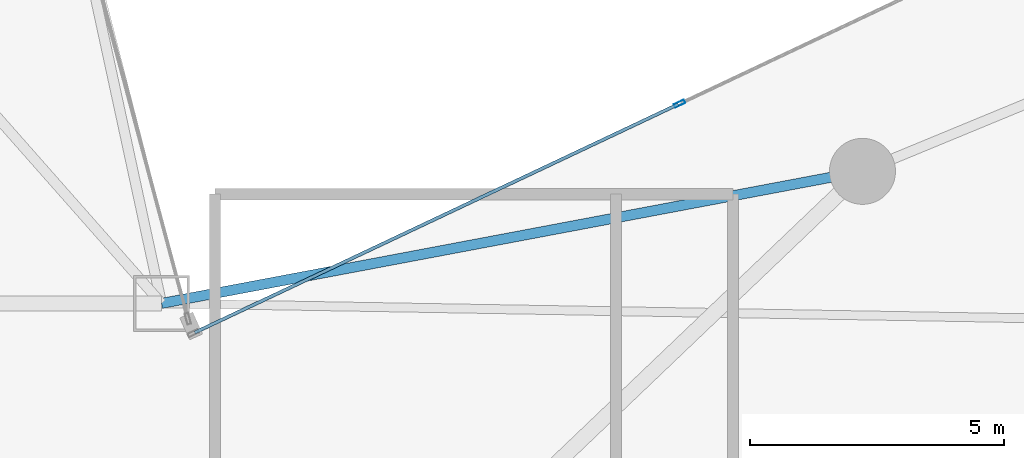
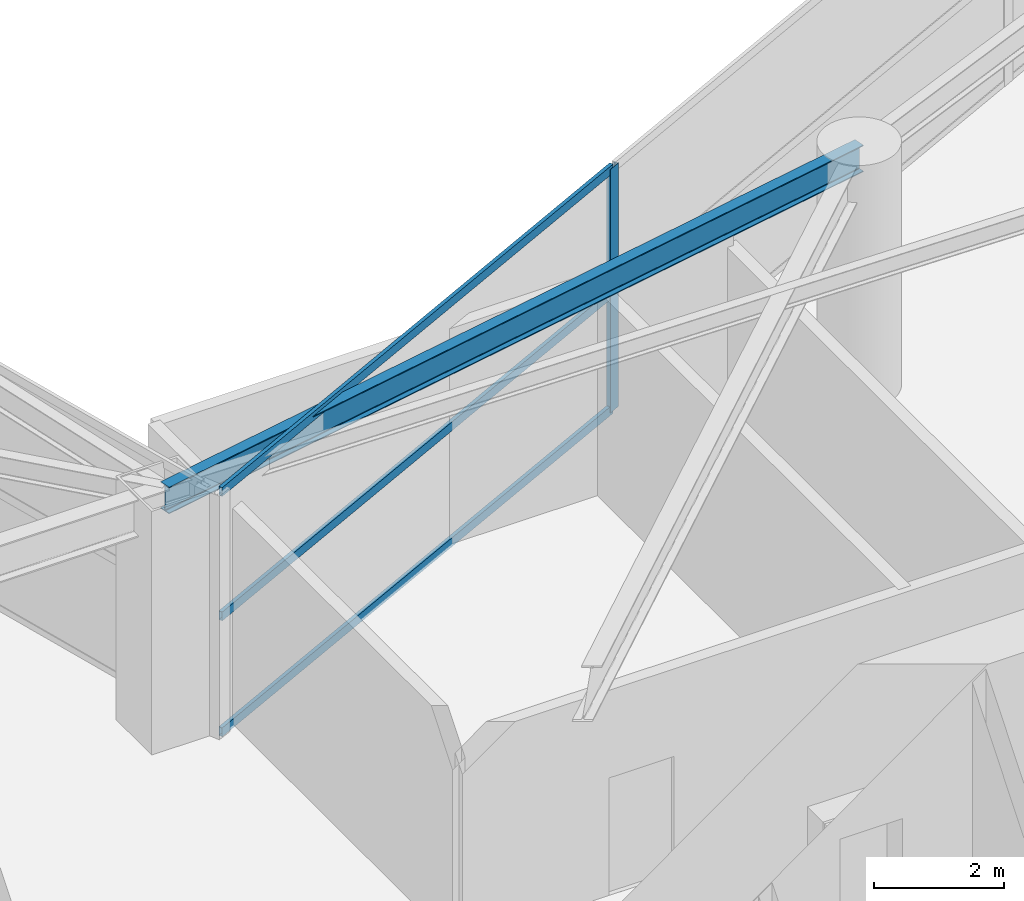
# One storey, part 3 of 18: 4 members, 1 beam, 1 element without a shape of its own.
"""IFC4 building model written with IfcOpenShell, lengths in metres."""

from ifc_helpers import new_model, si_unit, direction, frame, origin, origin_2d, place, context, subcontext, project, spatial, hollow_rectangle, i_section, extrude, material, layer, layer_set, material_profile, profile_set, type_object, element, aggregate, save


model = new_model("IFC4")

# Units and contexts
model_context = context("Model", 3, precision=1e-05, world=origin(), true_north=direction((0.0, 1.0)))
body_context = subcontext(model_context, "Body", "Model", "MODEL_VIEW")
ifc_project = project(units=[si_unit("LENGTHUNIT", "METRE"), si_unit("AREAUNIT", "SQUARE_METRE"), si_unit("VOLUMEUNIT", "CUBIC_METRE"), si_unit("PLANEANGLEUNIT", "RADIAN"), si_unit("MASSUNIT", "GRAM", prefix="KILO")], contexts=[model_context])

# Site, building, storey
site_placement = place(None, origin())
site = spatial("IfcSite", under=ifc_project, at=site_placement, CompositionType="ELEMENT")
building_placement = place(site_placement, origin())
building = spatial("IfcBuilding", under=site, at=building_placement, Name="Calvorn Quay Hotel", CompositionType="ELEMENT")
storey_placement = place(building_placement, frame((0.0, 0.0, 46.0)))
storey = spatial("IfcBuildingStorey", under=building, at=storey_placement, Name="L10", CompositionType="ELEMENT", Elevation=46.0)

# Beam
ifc_material_1 = material(Name="Steel Q355B", Category="steel")
ifc_material_profile_1 = material_profile(ifc_material_1, i_section(OverallWidth=0.199951171875, OverallDepth=0.5, WebThickness=0.010009765625, FlangeThickness=0.01611328125, FilletRadius=0.01611328125, at=origin_2d()), Name="HN500x200x10x16")
ifc_profile_set_1 = profile_set([ifc_material_profile_1], Name="Steel Q355B")
beam_type = type_object("IfcBeamType", Name="BM-SPANDREL-Z1", PredefinedType="SPANDREL", material=ifc_profile_set_1)
beam_placement = place(storey_placement, frame((34.800048828125, 27.60009765625, 4.2900390625), z_axis=(-0.982709432406, -0.185154452988, 0.0), x_axis=(0.185154452988, -0.982709432406, 0.0)))
element("IfcBeam", 1, at=beam_placement, inside=storey, type_object=beam_type, Name="Beam BSP-L10-E5", PredefinedType="SPANDREL", context=body_context, shape_type="SweptSolid", body=[
    extrude(i_section(OverallWidth=0.199951171875, OverallDepth=0.5, WebThickness=0.010009765625, FlangeThickness=0.01611328125, FilletRadius=0.01611328125, at=origin_2d()), origin(), (0.0, 0.0, 1.0), 14.04296875),
])

# Curtain wall, members
ifc_material_2 = material(Name="Pale Anodised Aluminium and Low-E Glass", Category="aluminium")
ifc_layer = layer(ifc_material_2, 0.219970703125)
ifc_layer_set = layer_set([ifc_layer], Name="CW-SYS-Z1")
curtain_wall_type = type_object("IfcCurtainWallType", Name="CW-SYS-Z1", PredefinedType="NOTDEFINED", material=ifc_layer_set)
curtain_wall_placement = place(storey_placement, origin())
curtain_wall = element("IfcCurtainWall", 2, at=curtain_wall_placement, inside=storey, type_object=curtain_wall_type, Name="Inner Court Curtain Wall L10-NE1", PredefinedType="NOTDEFINED")
ifc_material_3 = material(Name="Pale Anodised Aluminium 6063-T6", Category="aluminium")
ifc_material_profile_2 = material_profile(ifc_material_3, hollow_rectangle(XDim=0.074951171875, YDim=0.219970703125, WallThickness=0.00439453125, at=origin_2d()), Name="ALU-M220x75x4.5")
ifc_profile_set_2 = profile_set([ifc_material_profile_2], Name="Pale Anodised Aluminium 6063-T6")
member_type_1 = type_object("IfcMemberType", Name="CW-SYS-Z1-MUL", PredefinedType="MULLION", material=ifc_profile_set_2)
member_1_placement = place(storey_placement, frame((31.199951171875, 28.933349609375, 0.0), z_axis=(0.0, 0.0, 1.0), x_axis=(0.427006305415, -0.904248646743, 0.0)))
member_1 = element("IfcMember", 3, at=member_1_placement, type_object=member_type_1, Name="CW-L10-NE1 mullion 3", PredefinedType="MULLION", context=body_context, shape_type="SweptSolid", body=[
    extrude(hollow_rectangle(XDim=0.074951171875, YDim=0.219970703125, WallThickness=0.00439453125, at=origin_2d()), origin(), (0.0, 0.0, 1.0), 4.56005859375),
])
ifc_material_4 = material(Name="Pale Anodised Aluminium 6063-T6", Category="aluminium")
ifc_material_profile_3 = material_profile(ifc_material_4, hollow_rectangle(XDim=0.06494140625, YDim=0.1650390625, WallThickness=0.00341796875, at=origin_2d()), Name="ALU-T165x65x3.5")
ifc_profile_set_3 = profile_set([ifc_material_profile_3], Name="Pale Anodised Aluminium 6063-T6")
member_type_2 = type_object("IfcMemberType", Name="CW-SYS-Z1-TRN", PredefinedType="USERDEFINED", material=ifc_profile_set_3)
member_2_placement = place(storey_placement, frame((31.1728515625, 28.92041015625, 0.030029296875), z_axis=(-0.904248646746, -0.427006305408, 0.0), x_axis=(0.427006305408, -0.904248646746, 0.0)))
member_2 = element("IfcMember", 4, at=member_2_placement, type_object=member_type_2, Name="CW-L10-NE1 transom 3.1", ObjectType="TRANSOM", PredefinedType="USERDEFINED", context=body_context, shape_type="SweptSolid", body=[
    extrude(hollow_rectangle(XDim=0.06494140625, YDim=0.1650390625, WallThickness=0.00341796875, at=origin_2d()), origin(), (0.0, 0.0, 1.0), 10.5263671875),
])
member_3_placement = place(storey_placement, frame((31.1728515625, 28.92041015625, 2.199951171875), z_axis=(-0.904248646746, -0.427006305408, 0.0), x_axis=(0.427006305408, -0.904248646746, 0.0)))
member_3 = element("IfcMember", 5, at=member_3_placement, type_object=member_type_2, Name="CW-L10-NE1 transom 3.2", ObjectType="TRANSOM", PredefinedType="USERDEFINED", context=body_context, shape_type="SweptSolid", body=[
    extrude(hollow_rectangle(XDim=0.06494140625, YDim=0.1650390625, WallThickness=0.00341796875, at=origin_2d()), origin(), (0.0, 0.0, 1.0), 10.5263671875),
])
member_4_placement = place(storey_placement, frame((31.1728515625, 28.92041015625, 4.530029296875), z_axis=(-0.904248646746, -0.427006305408, 0.0), x_axis=(0.427006305408, -0.904248646746, 0.0)))
member_4 = element("IfcMember", 6, at=member_4_placement, type_object=member_type_2, Name="CW-L10-NE1 transom 3.3", ObjectType="TRANSOM", PredefinedType="USERDEFINED", context=body_context, shape_type="SweptSolid", body=[
    extrude(hollow_rectangle(XDim=0.06494140625, YDim=0.1650390625, WallThickness=0.00341796875, at=origin_2d()), origin(), (0.0, 0.0, 1.0), 10.5263671875),
])
aggregate(curtain_wall, [member_1, member_2, member_3, member_4])

save(model, "model.ifc")
